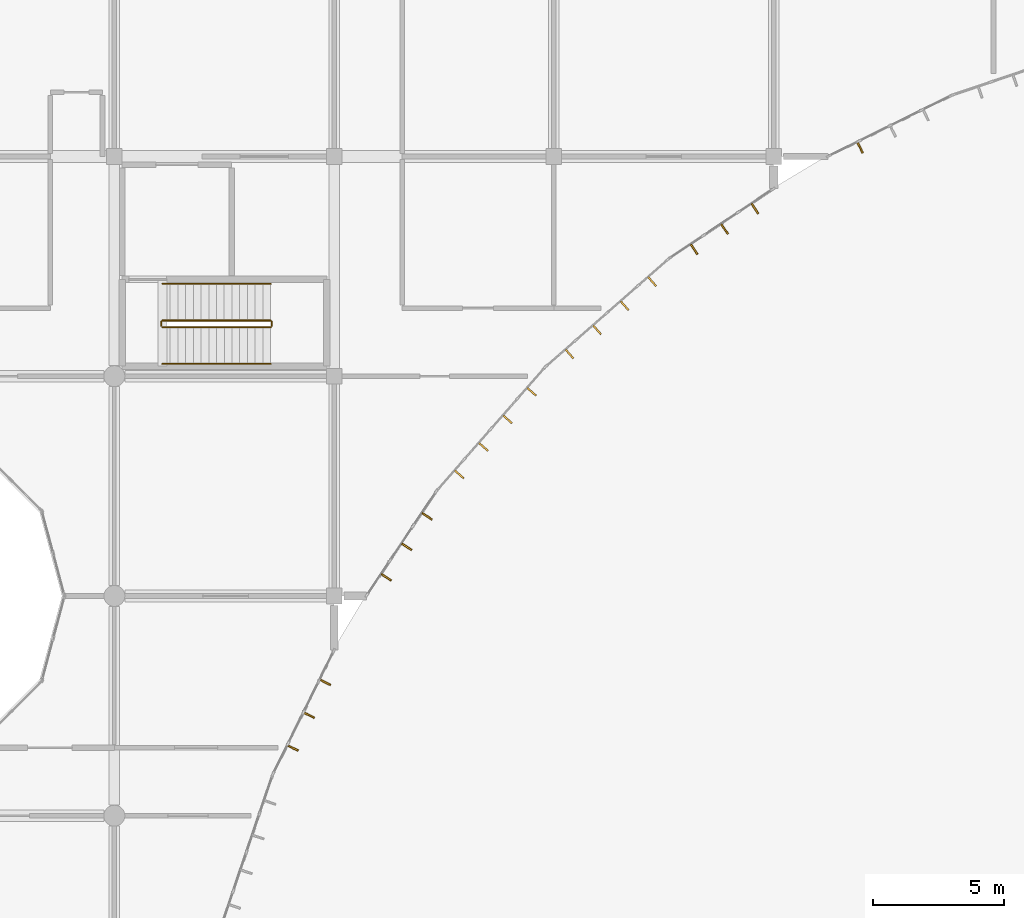
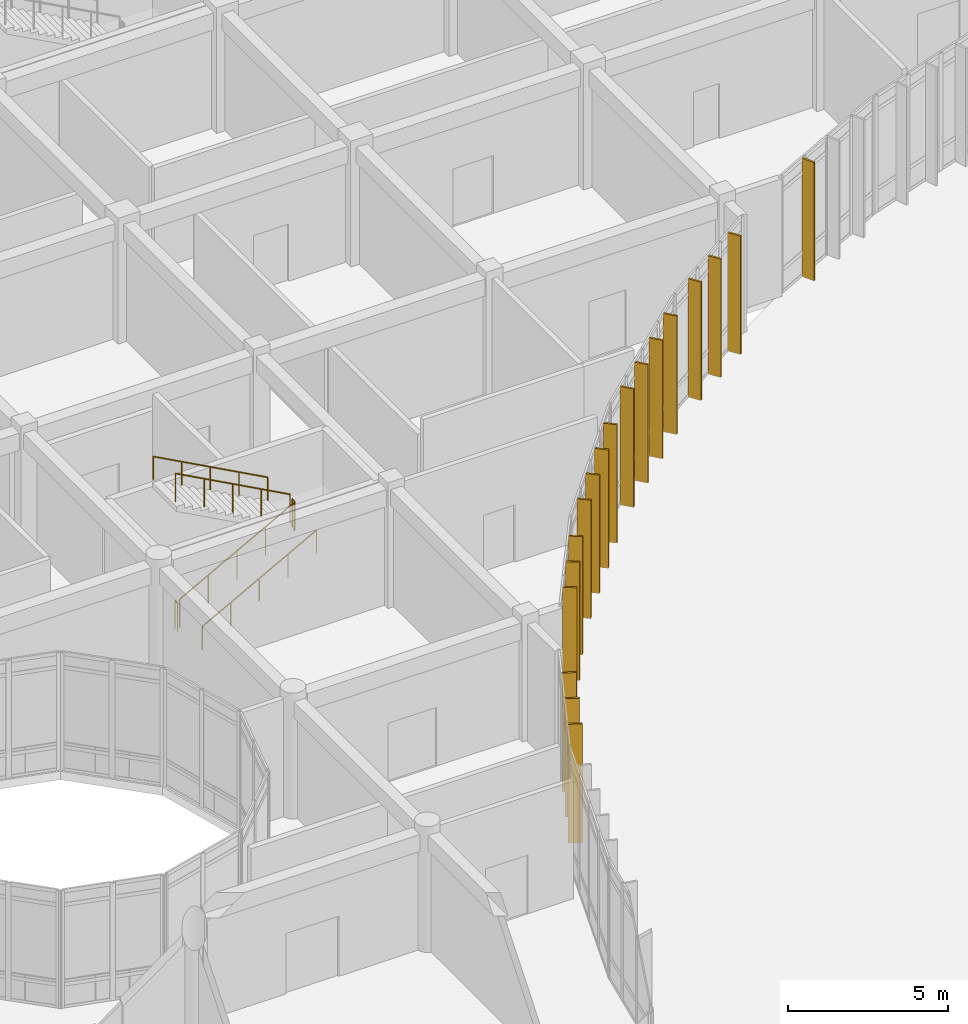
# One storey, part 135 of 138: 18 shading devices, 6 railings.
"""IFC4 building model written with IfcOpenShell, lengths in metres."""

from ifc_helpers import new_model, si_unit, direction, frame, origin, origin_2d, place, context, subcontext, project, spatial, rectangle, circle, extrude, material, material_profile, profile_set, type_object, element, save


model = new_model("IFC4")

# Units and contexts
model_context = context("Model", 3, precision=1e-05, world=origin(), true_north=direction((0.0, 1.0)))
body_context = subcontext(model_context, "Body", "Model", "MODEL_VIEW")
ifc_project = project(units=[si_unit("LENGTHUNIT", "METRE"), si_unit("AREAUNIT", "SQUARE_METRE"), si_unit("VOLUMEUNIT", "CUBIC_METRE"), si_unit("PLANEANGLEUNIT", "RADIAN"), si_unit("MASSUNIT", "GRAM", prefix="KILO")], contexts=[model_context])

# Site, building, storey
site_placement = place(None, origin())
site = spatial("IfcSite", under=ifc_project, at=site_placement, CompositionType="ELEMENT")
building_placement = place(site_placement, origin())
building = spatial("IfcBuilding", under=site, at=building_placement, Name="Bramfleet General Hospital", CompositionType="ELEMENT")
storey_placement = place(building_placement, origin())
storey = spatial("IfcBuildingStorey", under=building, at=storey_placement, Name="L00", CompositionType="ELEMENT", Elevation=0.0)

# Railings
ifc_material_1 = material(Name="Powder-coated steel stair balustrade", Category="steel")
railing_type_1 = type_object("IfcRailingType", Name="RAIL-ST-GUARD", PredefinedType="GUARDRAIL", material=ifc_material_1)
railing_1_placement = place(storey_placement, frame((127.840087890625, 77.469970703125, 0.159912109375)))
element("IfcRailing", 1, at=railing_1_placement, inside=storey, type_object=railing_type_1, Name="L00 ST-C12 stair guard 1", PredefinedType="GUARDRAIL", context=body_context, shape_type="SweptSolid", body=[
    extrude(circle(Radius=0.02392578125, at=origin_2d()), frame((0.0, 0.0, 1.076171875), z_axis=(0.879027057179, 0.0, 0.476771887539), x_axis=(0.0, 1.0, 0.0)), (0.0, 0.0, 1.0), 4.6982421875),
    extrude(circle(Radius=0.02099609375, at=origin_2d()), origin(), (0.0, 0.0, 1.0), 1.052001953125),
    extrude(circle(Radius=0.02099609375, at=origin_2d()), frame((1.032470703125, 0.0, 0.56005859375)), (0.0, 0.0, 1.0), 1.052001953125),
    extrude(circle(Radius=0.02099609375, at=origin_2d()), frame((2.06494140625, 0.0, 1.1201171875)), (0.0, 0.0, 1.0), 1.052001953125),
    extrude(circle(Radius=0.02099609375, at=origin_2d()), frame((3.097412109375, 0.0, 1.679931640625)), (0.0, 0.0, 1.0), 1.052001953125),
    extrude(circle(Radius=0.02099609375, at=origin_2d()), frame((4.1298828125, 0.0, 2.239990234375)), (0.0, 0.0, 1.0), 1.052001953125),
])
railing_2_placement = place(storey_placement, frame((132.02001953125, 77.52001953125, 2.39990234375)))
element("IfcRailing", 2, at=railing_2_placement, inside=storey, type_object=railing_type_1, Name="L00 ST-C12 stair guard 2", PredefinedType="GUARDRAIL", context=body_context, shape_type="SweptSolid", body=[
    extrude(circle(Radius=0.02392578125, at=origin_2d()), frame((0.0, 0.0, 1.076171875), z_axis=(0.0, 1.0, 0.0), x_axis=(-1.0, 0.0, 0.0)), (0.0, 0.0, 1.0), 0.159912109375),
    extrude(circle(Radius=0.02099609375, at=origin_2d()), origin(), (0.0, 0.0, 1.0), 1.052001953125),
    extrude(circle(Radius=0.02099609375, at=origin_2d()), frame((0.0, 0.159912109375, 0.0)), (0.0, 0.0, 1.0), 1.052001953125),
])
railing_3_placement = place(storey_placement, frame((131.969970703125, 77.72998046875, 2.56005859375)))
element("IfcRailing", 3, at=railing_3_placement, inside=storey, type_object=railing_type_1, Name="L00 ST-C12 stair guard 3", PredefinedType="GUARDRAIL", context=body_context, shape_type="SweptSolid", body=[
    extrude(circle(Radius=0.02392578125, at=origin_2d()), frame((0.0, 0.0, 1.076171875), z_axis=(-0.879027057179, 0.0, 0.476771887539), x_axis=(0.0, -1.0, 0.0)), (0.0, 0.0, 1.0), 4.6982421875),
    extrude(circle(Radius=0.02099609375, at=origin_2d()), origin(), (0.0, 0.0, 1.0), 1.052001953125),
    extrude(circle(Radius=0.02099609375, at=origin_2d()), frame((-1.032470703125, 0.0, 0.56005859375)), (0.0, 0.0, 1.0), 1.052001953125),
    extrude(circle(Radius=0.02099609375, at=origin_2d()), frame((-2.06494140625, 0.0, 1.1201171875)), (0.0, 0.0, 1.0), 1.052001953125),
    extrude(circle(Radius=0.02099609375, at=origin_2d()), frame((-3.097412109375, 0.0, 1.679931640625)), (0.0, 0.0, 1.0), 1.052001953125),
    extrude(circle(Radius=0.02099609375, at=origin_2d()), frame((-4.1298828125, 0.0, 2.239990234375)), (0.0, 0.0, 1.0), 1.052001953125),
])
railing_4_placement = place(storey_placement, frame((127.7900390625, 77.52001953125, 0.0)))
element("IfcRailing", 4, at=railing_4_placement, inside=storey, type_object=railing_type_1, Name="L00 ST-C12 stair guard 4", PredefinedType="GUARDRAIL", context=body_context, shape_type="SweptSolid", body=[
    extrude(circle(Radius=0.02392578125, at=origin_2d()), frame((0.0, 0.0, 1.076171875), z_axis=(0.0, 1.0, 0.0), x_axis=(-1.0, 0.0, 0.0)), (0.0, 0.0, 1.0), 0.159912109375),
    extrude(circle(Radius=0.02099609375, at=origin_2d()), origin(), (0.0, 0.0, 1.0), 1.052001953125),
    extrude(circle(Radius=0.02099609375, at=origin_2d()), frame((0.0, 0.159912109375, 0.0)), (0.0, 0.0, 1.0), 1.052001953125),
])
ifc_material_2 = material(Name="Stainless steel 1.4301 stair handrail", Category="steel")
railing_type_2 = type_object("IfcRailingType", Name="RAIL-ST-HND", PredefinedType="HANDRAIL", material=ifc_material_2)
railing_5_placement = place(storey_placement, frame((127.840087890625, 76.070068359375, 0.159912109375)))
element("IfcRailing", 5, at=railing_5_placement, inside=storey, type_object=railing_type_2, Name="L00 ST-C12 stair handrail 1", PredefinedType="HANDRAIL", context=body_context, shape_type="SweptSolid", body=[
    extrude(circle(Radius=0.02392578125, at=origin_2d()), frame((0.0, 0.0, 0.8759765625), z_axis=(0.879027057179, 0.0, 0.476771887539), x_axis=(0.0, 1.0, 0.0)), (0.0, 0.0, 1.0), 4.6982421875),
    extrude(circle(Radius=0.02099609375, at=origin_2d()), origin(), (0.0, 0.0, 1.0), 0.851806640625),
    extrude(circle(Radius=0.02099609375, at=origin_2d()), frame((1.032470703125, 0.0, 0.56005859375)), (0.0, 0.0, 1.0), 0.851806640625),
    extrude(circle(Radius=0.02099609375, at=origin_2d()), frame((2.06494140625, 0.0, 1.1201171875)), (0.0, 0.0, 1.0), 0.851806640625),
    extrude(circle(Radius=0.02099609375, at=origin_2d()), frame((3.097412109375, 0.0, 1.679931640625)), (0.0, 0.0, 1.0), 0.851806640625),
    extrude(circle(Radius=0.02099609375, at=origin_2d()), frame((4.1298828125, 0.0, 2.239990234375)), (0.0, 0.0, 1.0), 0.851806640625),
])
railing_6_placement = place(storey_placement, frame((131.969970703125, 79.1298828125, 2.56005859375)))
element("IfcRailing", 6, at=railing_6_placement, inside=storey, type_object=railing_type_2, Name="L00 ST-C12 stair handrail 2", PredefinedType="HANDRAIL", context=body_context, shape_type="SweptSolid", body=[
    extrude(circle(Radius=0.02392578125, at=origin_2d()), frame((0.0, 0.0, 0.8759765625), z_axis=(-0.879027057179, 0.0, 0.476771887539), x_axis=(0.0, -1.0, 0.0)), (0.0, 0.0, 1.0), 4.6982421875),
    extrude(circle(Radius=0.02099609375, at=origin_2d()), origin(), (0.0, 0.0, 1.0), 0.851806640625),
    extrude(circle(Radius=0.02099609375, at=origin_2d()), frame((-1.032470703125, 0.0, 0.56005859375)), (0.0, 0.0, 1.0), 0.851806640625),
    extrude(circle(Radius=0.02099609375, at=origin_2d()), frame((-2.06494140625, 0.0, 1.1201171875)), (0.0, 0.0, 1.0), 0.851806640625),
    extrude(circle(Radius=0.02099609375, at=origin_2d()), frame((-3.097412109375, 0.0, 1.679931640625)), (0.0, 0.0, 1.0), 0.851806640625),
    extrude(circle(Radius=0.02099609375, at=origin_2d()), frame((-4.1298828125, 0.0, 2.239990234375)), (0.0, 0.0, 1.0), 0.851806640625),
])

# Shading devices
ifc_material_3 = material(Name="Treated European larch timber", Category="wood")
ifc_material_profile = material_profile(ifc_material_3, rectangle(XDim=0.06494140625, YDim=0.449951171875, at=origin_2d()), Name="LARCH FIN 450x65")
ifc_profile_set = profile_set([ifc_material_profile], Name="Treated European larch timber")
shading_device_type = type_object("IfcShadingDeviceType", Name="SHD-FIN-450", PredefinedType="USERDEFINED", material=ifc_profile_set)
for number, where, z_axis, x_axis, name in (
    (7, (154.5029296875, 84.33837890625, -0.02001953125), (0.0, 0.0, 1.0), (-0.896864723513, -0.442304948782, 0.0), "L00 Larch Timber Shading Fin 56"),
    (8, (150.487060546875, 82.002197265625, -0.02001953125), (0.0, 0.0, 1.0), (-0.831540898988, -0.555463530135, 0.0), "L00 Larch Timber Shading Fin 57"),
    (9, (149.32275390625, 81.224365234375, -0.02001953125), (0.0, 0.0, 1.0), (-0.831540898988, -0.555463530135, 0.0), "L00 Larch Timber Shading Fin 58"),
    (10, (148.15869140625, 80.44677734375, -0.02001953125), (0.0, 0.0, 1.0), (-0.831540898988, -0.555463530135, 0.0), "L00 Larch Timber Shading Fin 59"),
    (11, (146.555908203125, 79.21533203125, -0.02001953125), (0.0, 0.0, 1.0), (-0.75178681735, -0.659406233864, 0.0), "L00 Larch Timber Shading Fin 60"),
    (12, (145.50341796875, 78.292236328125, -0.02001953125), (0.0, 0.0, 1.0), (-0.75178681735, -0.659406233864, 0.0), "L00 Larch Timber Shading Fin 61"),
    (13, (144.450927734375, 77.368896484375, -0.02001953125), (0.0, 0.0, 1.0), (-0.75178681735, -0.659406233864, 0.0), "L00 Larch Timber Shading Fin 62"),
    (14, (143.3984375, 76.44580078125, -0.02001953125), (0.0, 0.0, 1.0), (-0.75178681735, -0.659406233864, 0.0), "L00 Larch Timber Shading Fin 63"),
    (15, (141.9541015625, 75.00146484375, -0.02001953125), (0.0, 0.0, 1.0), (-0.659406233864, -0.75178681735, 0.0), "L00 Larch Timber Shading Fin 64"),
    (16, (141.031005859375, 73.948974609375, -0.02001953125), (0.0, 0.0, 1.0), (-0.659406233864, -0.75178681735, 0.0), "L00 Larch Timber Shading Fin 65"),
    (17, (140.10791015625, 72.896484375, -0.02001953125), (0.0, 0.0, 1.0), (-0.659406233864, -0.75178681735, 0.0), "L00 Larch Timber Shading Fin 66"),
    (18, (139.184814453125, 71.843994140625, -0.02001953125), (0.0, 0.0, 1.0), (-0.659406233864, -0.75178681735, 0.0), "L00 Larch Timber Shading Fin 67"),
    (19, (137.953125, 70.2412109375, -0.02001953125), (0.0, 0.0, 1.0), (-0.555463530135, -0.831540898988, 0.0), "L00 Larch Timber Shading Fin 68"),
    (20, (137.175537109375, 69.0771484375, -0.02001953125), (0.0, 0.0, 1.0), (-0.555463530135, -0.831540898988, 0.0), "L00 Larch Timber Shading Fin 69"),
    (21, (136.39794921875, 67.9130859375, -0.02001953125), (0.0, 0.0, 1.0), (-0.555463530135, -0.831540898988, 0.0), "L00 Larch Timber Shading Fin 70"),
    (22, (134.0615234375, 63.89697265625, -0.02001953125), (0.0, 0.0, 1.0), (-0.442304948782, -0.896864723513, 0.0), "L00 Larch Timber Shading Fin 71"),
    (23, (133.442138671875, 62.641357421875, -0.02001953125), (0.0, 0.0, 1.0), (-0.442304948782, -0.896864723513, 0.0), "L00 Larch Timber Shading Fin 72"),
    (24, (132.822998046875, 61.3857421875, -0.02001953125), (0.0, 0.0, 1.0), (-0.442304948782, -0.896864723513, 0.0), "L00 Larch Timber Shading Fin 73"),
):
    element("IfcShadingDevice", number, at=place(storey_placement, frame(where, z_axis=z_axis, x_axis=x_axis)), inside=storey, type_object=shading_device_type, Name=name, ObjectType="Fin", PredefinedType="USERDEFINED", context=body_context, shape_type="SweptSolid", body=[
        extrude(rectangle(XDim=0.06494140625, YDim=0.449951171875, at=origin_2d()), origin(), (0.0, 0.0, 1.0), 4.52001953125),
    ])

save(model, "model.ifc")
